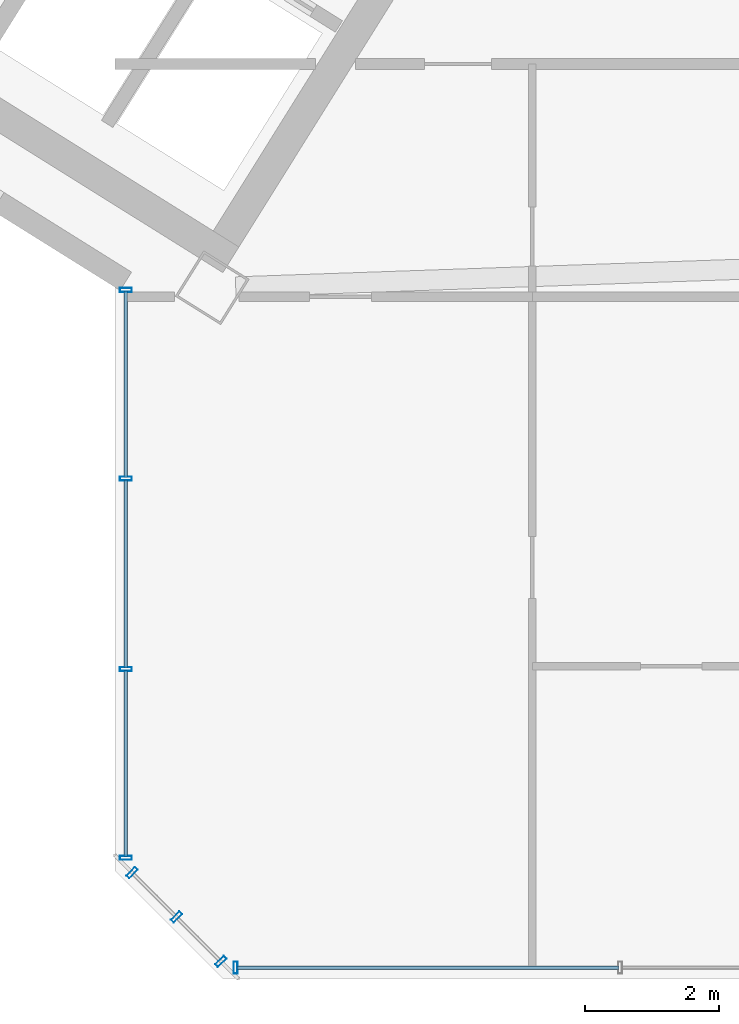
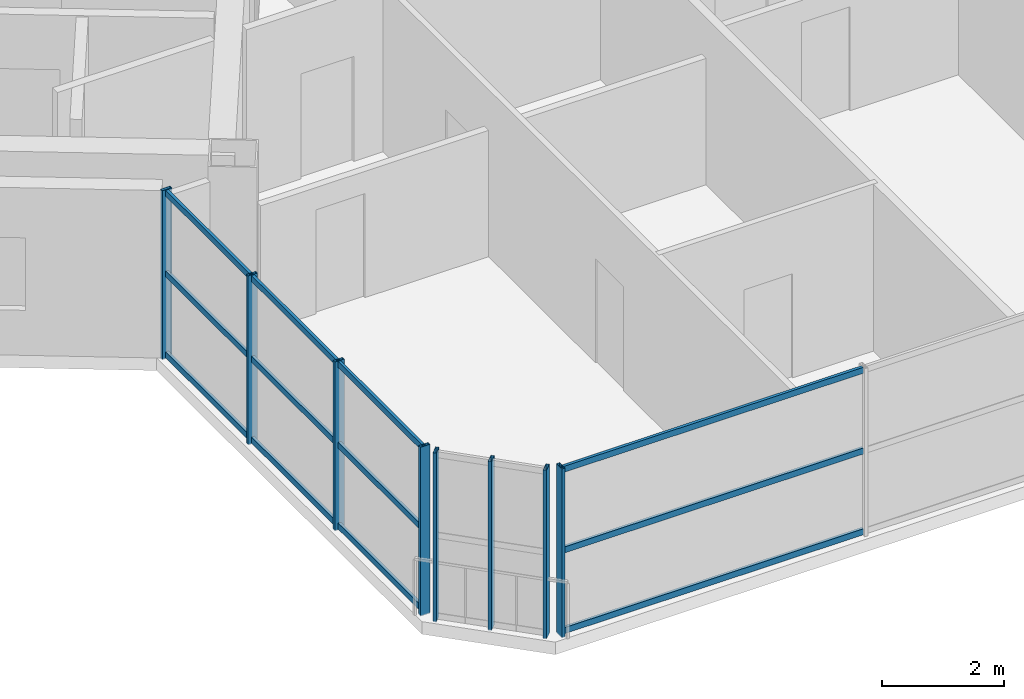
# One storey, part 4 of 20: 20 members, 3 elements without a shape of their own.
"""IFC4 building model written with IfcOpenShell, lengths in metres."""

from ifc_helpers import new_model, si_unit, direction, frame, origin, origin_2d, place, context, subcontext, project, spatial, hollow_rectangle, extrude, source, transform, mapped, material, material_profile, profile_set, type_object, element, aggregate, save


model = new_model("IFC4")

# Units and contexts
model_context = context("Model", 3, precision=1e-05, world=origin(), true_north=direction((0.0, 1.0)))
body_context = subcontext(model_context, "Body", "Model", "MODEL_VIEW")
ifc_project = project(units=[si_unit("LENGTHUNIT", "METRE"), si_unit("AREAUNIT", "SQUARE_METRE"), si_unit("VOLUMEUNIT", "CUBIC_METRE"), si_unit("PLANEANGLEUNIT", "RADIAN"), si_unit("MASSUNIT", "GRAM", prefix="KILO")], contexts=[model_context])

# Site, building, storey
site_placement = place(None, origin())
site = spatial("IfcSite", under=ifc_project, at=site_placement, CompositionType="ELEMENT")
building_placement = place(site_placement, origin())
building = spatial("IfcBuilding", under=site, at=building_placement, Name="Tlacorven Tower", CompositionType="ELEMENT")
storey_placement = place(building_placement, frame((0.0, 0.0, 225.60009765625)))
storey = spatial("IfcBuildingStorey", under=building, at=storey_placement, Name="L57", CompositionType="ELEMENT", Elevation=225.60009765625)

# Curtain wall, members
ifc_material_1 = material(Name="Dark solar low-E double glazing in aluminium frame", Category="aluminium")
curtain_wall_type = type_object("IfcCurtainWallType", Name="CW-TWR-HIGH", PredefinedType="USERDEFINED", material=ifc_material_1)
curtain_wall_1_placement = place(storey_placement, origin())
curtain_wall_1 = element("IfcCurtainWall", 1, at=curtain_wall_1_placement, inside=storey, type_object=curtain_wall_type, Name="L57 CW-TWR-HIGH Curtain Wall 258", ObjectType="UNITISED CURTAIN WALL", PredefinedType="USERDEFINED")
ifc_material_2 = material(Name="Aluminium 6063-T6 anodised", Category="aluminium")
ifc_material_profile_1 = material_profile(ifc_material_2, hollow_rectangle(XDim=0.054931640625, YDim=0.1201171875, WallThickness=0.00341796875, at=origin_2d()), Name="ALU TRANSOM 55X120")
ifc_profile_set_1 = profile_set([ifc_material_profile_1], Name="Aluminium 6063-T6 anodised")
member_type_1 = type_object("IfcMemberType", Name="CWT-03", PredefinedType="USERDEFINED", material=ifc_profile_set_1)
shared_shape_1 = source(origin(), body_context, "Body", "SweptSolid", [
    extrude(hollow_rectangle(XDim=0.054931640625, YDim=0.1201171875, WallThickness=0.00341796875, at=origin_2d()), origin(), (0.0, 0.0, 1.0), 5.689697265625),
])
member_1_placement = place(storey_placement, frame((39.10400390625, 1.9599609375, 0.059814453125), z_axis=(-1.0, 0.0, 0.0), x_axis=(0.0, -1.0, 0.0)))
member_1 = element("IfcMember", 2, at=member_1_placement, type_object=member_type_1, Name="CW-L57-258 Transom 7", ObjectType="TRANSOM", PredefinedType="USERDEFINED", context=body_context, shape_type="MappedRepresentation", body=[
    mapped(shared_shape_1, transform((0.0, 0.0, 0.0), scale=1.0)),
])
member_2_placement = place(storey_placement, frame((39.10400390625, 1.9599609375, 1.6748046875), z_axis=(-1.0, 0.0, 0.0), x_axis=(0.0, -1.0, 0.0)))
member_2 = element("IfcMember", 3, at=member_2_placement, type_object=member_type_1, Name="CW-L57-258 Transom 8", ObjectType="TRANSOM", PredefinedType="USERDEFINED", context=body_context, shape_type="MappedRepresentation", body=[
    mapped(shared_shape_1, transform((0.0, 0.0, 0.0), scale=1.0)),
])
member_3_placement = place(storey_placement, frame((39.10400390625, 1.9599609375, 3.289794921875), z_axis=(-1.0, 0.0, 0.0), x_axis=(0.0, -1.0, 0.0)))
member_3 = element("IfcMember", 4, at=member_3_placement, type_object=member_type_1, Name="CW-L57-258 Transom 9", ObjectType="TRANSOM", PredefinedType="USERDEFINED", context=body_context, shape_type="MappedRepresentation", body=[
    mapped(shared_shape_1, transform((0.0, 0.0, 0.0), scale=1.0)),
])

curtain_wall_2_placement = place(storey_placement, origin())
curtain_wall_2 = element("IfcCurtainWall", 5, at=curtain_wall_2_placement, inside=storey, type_object=curtain_wall_type, Name="L57 CW-TWR-HIGH Curtain Wall 260", ObjectType="UNITISED CURTAIN WALL", PredefinedType="USERDEFINED")
shared_shape_2 = source(origin(), body_context, "Body", "SweptSolid", [
    extrude(hollow_rectangle(XDim=0.054931640625, YDim=0.1201171875, WallThickness=0.00341796875, at=origin_2d()), origin(), (0.0, 0.0, 1.0), 2.77294921875),
])
member_4_placement = place(storey_placement, frame((31.760009765625, 3.6142578125, 0.059814453125), z_axis=(0.0, 1.0, 0.0), x_axis=(-1.0, 0.0, 0.0)))
member_4 = element("IfcMember", 6, at=member_4_placement, type_object=member_type_1, Name="CW-L57-260 Transom 1", ObjectType="TRANSOM", PredefinedType="USERDEFINED", context=body_context, shape_type="MappedRepresentation", body=[
    mapped(shared_shape_2, transform((0.0, 0.0, 0.0), scale=1.0)),
])
member_5_placement = place(storey_placement, frame((31.760009765625, 3.6142578125, 1.6748046875), z_axis=(0.0, 1.0, 0.0), x_axis=(-1.0, 0.0, 0.0)))
member_5 = element("IfcMember", 7, at=member_5_placement, type_object=member_type_1, Name="CW-L57-260 Transom 2", ObjectType="TRANSOM", PredefinedType="USERDEFINED", context=body_context, shape_type="MappedRepresentation", body=[
    mapped(shared_shape_2, transform((0.0, 0.0, 0.0), scale=1.0)),
])
member_6_placement = place(storey_placement, frame((31.760009765625, 3.6142578125, 3.289794921875), z_axis=(0.0, 1.0, 0.0), x_axis=(-1.0, 0.0, 0.0)))
member_6 = element("IfcMember", 8, at=member_6_placement, type_object=member_type_1, Name="CW-L57-260 Transom 3", ObjectType="TRANSOM", PredefinedType="USERDEFINED", context=body_context, shape_type="MappedRepresentation", body=[
    mapped(shared_shape_2, transform((0.0, 0.0, 0.0), scale=1.0)),
])
member_7_placement = place(storey_placement, frame((31.760009765625, 9.26220703125, 0.059814453125), z_axis=(0.0, 1.0, 0.0), x_axis=(-1.0, 0.0, 0.0)))
member_7 = element("IfcMember", 9, at=member_7_placement, type_object=member_type_1, Name="CW-L57-260 Transom 7", ObjectType="TRANSOM", PredefinedType="USERDEFINED", context=body_context, shape_type="MappedRepresentation", body=[
    mapped(shared_shape_2, transform((0.0, 0.0, 0.0), scale=1.0)),
])
member_8_placement = place(storey_placement, frame((31.760009765625, 9.26220703125, 1.6748046875), z_axis=(0.0, 1.0, 0.0), x_axis=(-1.0, 0.0, 0.0)))
member_8 = element("IfcMember", 10, at=member_8_placement, type_object=member_type_1, Name="CW-L57-260 Transom 8", ObjectType="TRANSOM", PredefinedType="USERDEFINED", context=body_context, shape_type="MappedRepresentation", body=[
    mapped(shared_shape_2, transform((0.0, 0.0, 0.0), scale=1.0)),
])
member_9_placement = place(storey_placement, frame((31.760009765625, 9.26220703125, 3.289794921875), z_axis=(0.0, 1.0, 0.0), x_axis=(-1.0, 0.0, 0.0)))
member_9 = element("IfcMember", 11, at=member_9_placement, type_object=member_type_1, Name="CW-L57-260 Transom 9", ObjectType="TRANSOM", PredefinedType="USERDEFINED", context=body_context, shape_type="MappedRepresentation", body=[
    mapped(shared_shape_2, transform((0.0, 0.0, 0.0), scale=1.0)),
])
shared_shape_3 = source(origin(), body_context, "Body", "SweptSolid", [
    extrude(hollow_rectangle(XDim=0.054931640625, YDim=0.1201171875, WallThickness=0.00341796875, at=origin_2d()), origin(), (0.0, 0.0, 1.0), 2.802978515625),
])
member_10_placement = place(storey_placement, frame((31.760009765625, 6.423095703125, 0.059814453125), z_axis=(0.0, 1.0, 0.0), x_axis=(-1.0, 0.0, 0.0)))
member_10 = element("IfcMember", 12, at=member_10_placement, type_object=member_type_1, Name="CW-L57-260 Transom 4", ObjectType="TRANSOM", PredefinedType="USERDEFINED", context=body_context, shape_type="MappedRepresentation", body=[
    mapped(shared_shape_3, transform((0.0, 0.0, 0.0), scale=1.0)),
])
member_11_placement = place(storey_placement, frame((31.760009765625, 6.423095703125, 1.6748046875), z_axis=(0.0, 1.0, 0.0), x_axis=(-1.0, 0.0, 0.0)))
member_11 = element("IfcMember", 13, at=member_11_placement, type_object=member_type_1, Name="CW-L57-260 Transom 5", ObjectType="TRANSOM", PredefinedType="USERDEFINED", context=body_context, shape_type="MappedRepresentation", body=[
    mapped(shared_shape_3, transform((0.0, 0.0, 0.0), scale=1.0)),
])
member_12_placement = place(storey_placement, frame((31.760009765625, 6.423095703125, 3.289794921875), z_axis=(0.0, 1.0, 0.0), x_axis=(-1.0, 0.0, 0.0)))
member_12 = element("IfcMember", 14, at=member_12_placement, type_object=member_type_1, Name="CW-L57-260 Transom 6", ObjectType="TRANSOM", PredefinedType="USERDEFINED", context=body_context, shape_type="MappedRepresentation", body=[
    mapped(shared_shape_3, transform((0.0, 0.0, 0.0), scale=1.0)),
])

# Member
ifc_material_profile_2 = material_profile(ifc_material_2, hollow_rectangle(XDim=0.06005859375, YDim=0.179931640625, WallThickness=0.00390625, at=origin_2d()), Name="ALU MULLION 60X180")
ifc_profile_set_2 = profile_set([ifc_material_profile_2], Name="Aluminium 6063-T6 anodised")
member_type_2 = type_object("IfcMemberType", Name="CWM-03", PredefinedType="MULLION", material=ifc_profile_set_2)
shared_shape_4 = source(origin(), body_context, "Body", "SweptSolid", [
    extrude(hollow_rectangle(XDim=0.06005859375, YDim=0.179931640625, WallThickness=0.00390625, at=origin_2d()), origin(), (0.0, 0.0, 1.0), 3.3798828125),
])
member_13_placement = place(storey_placement, frame((33.396240234375, 1.9599609375, -0.02001953125), z_axis=(0.0, 0.0, 1.0), x_axis=(-1.0, 0.0, 0.0)))
member_13 = element("IfcMember", 15, at=member_13_placement, type_object=member_type_2, Name="CW-L57-258 Mullion 4", PredefinedType="MULLION", context=body_context, shape_type="MappedRepresentation", body=[
    mapped(shared_shape_4, transform((0.0, 0.0, 0.0), scale=1.0)),
])

aggregate(curtain_wall_1, [member_13, member_1, member_2, member_3])

# Curtain wall, members
curtain_wall_3_placement = place(storey_placement, origin())
curtain_wall_3 = element("IfcCurtainWall", 16, at=curtain_wall_3_placement, inside=storey, type_object=curtain_wall_type, Name="L57 CW-TWR-HIGH Curtain Wall 259", ObjectType="UNITISED CURTAIN WALL", PredefinedType="USERDEFINED")
member_14_placement = place(storey_placement, frame((33.17431640625, 2.052001953125, -0.02001953125), z_axis=(0.0, 0.0, 1.0), x_axis=(-0.707106781187, 0.707106781187, 0.0)))
member_14 = element("IfcMember", 17, at=member_14_placement, type_object=member_type_2, Name="CW-L57-259 Mullion 1", PredefinedType="MULLION", context=body_context, shape_type="MappedRepresentation", body=[
    mapped(shared_shape_4, transform((0.0, 0.0, 0.0), scale=1.0)),
])
member_15_placement = place(storey_placement, frame((32.51318359375, 2.713134765625, -0.02001953125), z_axis=(0.0, 0.0, 1.0), x_axis=(-0.707106781187, 0.707106781187, 0.0)))
member_15 = element("IfcMember", 18, at=member_15_placement, type_object=member_type_2, Name="CW-L57-259 Mullion 2", PredefinedType="MULLION", context=body_context, shape_type="MappedRepresentation", body=[
    mapped(shared_shape_4, transform((0.0, 0.0, 0.0), scale=1.0)),
])
member_16_placement = place(storey_placement, frame((31.851806640625, 3.374267578125, -0.02001953125), z_axis=(0.0, 0.0, 1.0), x_axis=(-0.707106781187, 0.707106781187, 0.0)))
member_16 = element("IfcMember", 19, at=member_16_placement, type_object=member_type_2, Name="CW-L57-259 Mullion 3", PredefinedType="MULLION", context=body_context, shape_type="MappedRepresentation", body=[
    mapped(shared_shape_4, transform((0.0, 0.0, 0.0), scale=1.0)),
])
aggregate(curtain_wall_3, [member_14, member_15, member_16])

# Member
member_17_placement = place(storey_placement, frame((31.760009765625, 3.59619140625, -0.02001953125), z_axis=(0.0, 0.0, 1.0), x_axis=(0.0, 1.0, 0.0)))
member_17 = element("IfcMember", 20, at=member_17_placement, type_object=member_type_2, Name="CW-L57-260 Mullion 1", PredefinedType="MULLION", context=body_context, shape_type="MappedRepresentation", body=[
    mapped(shared_shape_4, transform((0.0, 0.0, 0.0), scale=1.0)),
])

member_18_placement = place(storey_placement, frame((31.760009765625, 6.4052734375, -0.02001953125), z_axis=(0.0, 0.0, 1.0), x_axis=(0.0, 1.0, 0.0)))
member_18 = element("IfcMember", 21, at=member_18_placement, type_object=member_type_2, Name="CW-L57-260 Mullion 2", PredefinedType="MULLION", context=body_context, shape_type="MappedRepresentation", body=[
    mapped(shared_shape_4, transform((0.0, 0.0, 0.0), scale=1.0)),
])

member_19_placement = place(storey_placement, frame((31.760009765625, 9.244140625, -0.02001953125), z_axis=(0.0, 0.0, 1.0), x_axis=(0.0, 1.0, 0.0)))
member_19 = element("IfcMember", 22, at=member_19_placement, type_object=member_type_2, Name="CW-L57-260 Mullion 3", PredefinedType="MULLION", context=body_context, shape_type="MappedRepresentation", body=[
    mapped(shared_shape_4, transform((0.0, 0.0, 0.0), scale=1.0)),
])

member_20_placement = place(storey_placement, frame((31.760009765625, 12.052978515625, -0.02001953125), z_axis=(0.0, 0.0, 1.0), x_axis=(0.0, 1.0, 0.0)))
member_20 = element("IfcMember", 23, at=member_20_placement, type_object=member_type_2, Name="CW-L57-260 Mullion 4", PredefinedType="MULLION", context=body_context, shape_type="MappedRepresentation", body=[
    mapped(shared_shape_4, transform((0.0, 0.0, 0.0), scale=1.0)),
])

aggregate(curtain_wall_2, [member_17, member_18, member_19, member_20, member_4, member_5, member_6, member_10, member_11, member_12, member_7, member_8, member_9])

save(model, "model.ifc")
